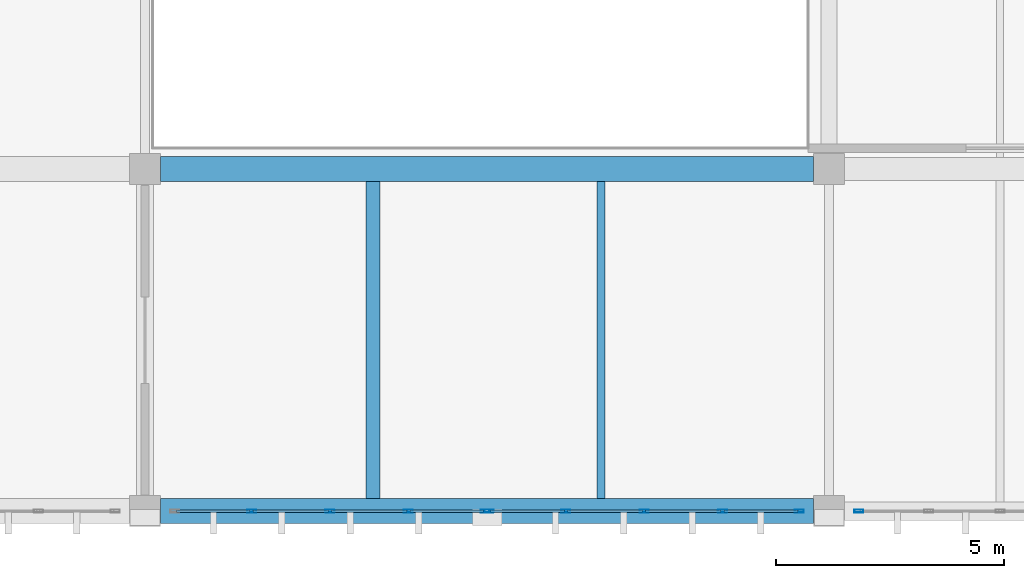
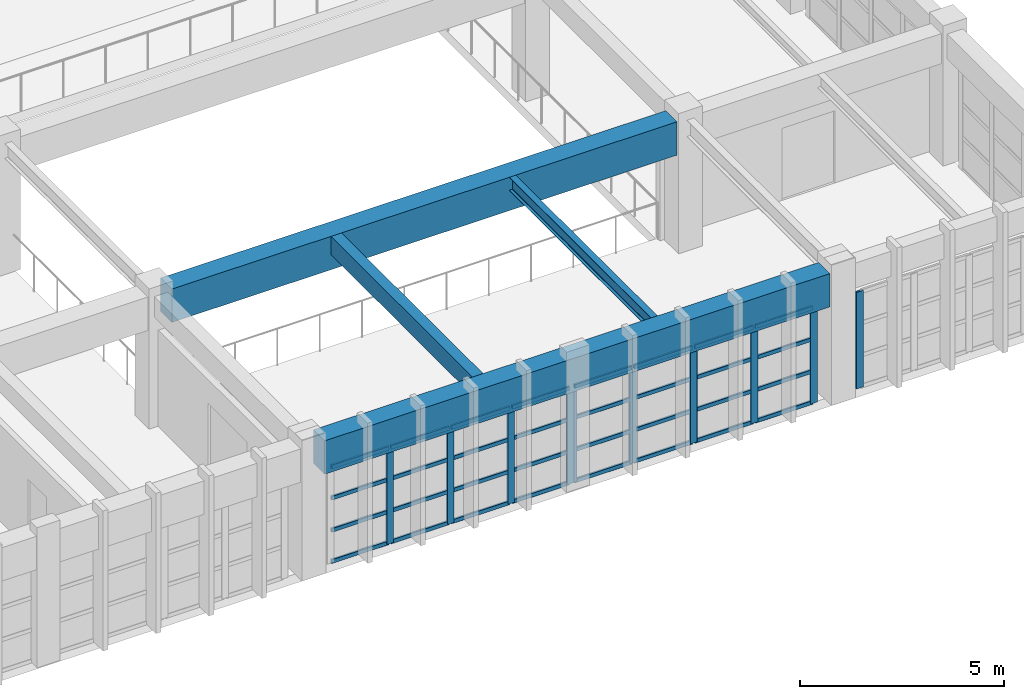
# One storey, part 6 of 132: 42 members, 4 beams, 3 elements without a shape of their own.
"""IFC4 building model written with IfcOpenShell, lengths in metres."""

from ifc_helpers import new_model, si_unit, direction, frame, origin, origin_2d, place, context, subcontext, project, spatial, rectangle, hollow_rectangle, i_section, extrude, material, material_profile, profile_set, type_object, element, aggregate, save


model = new_model("IFC4")

# Units and contexts
model_context = context("Model", 3, precision=1e-05, world=origin(), true_north=direction((0.0, 1.0)))
body_context = subcontext(model_context, "Body", "Model", "MODEL_VIEW")
ifc_project = project(units=[si_unit("LENGTHUNIT", "METRE"), si_unit("AREAUNIT", "SQUARE_METRE"), si_unit("VOLUMEUNIT", "CUBIC_METRE"), si_unit("PLANEANGLEUNIT", "RADIAN"), si_unit("MASSUNIT", "GRAM", prefix="KILO")], contexts=[model_context])

# Site, building, storey
site_placement = place(None, origin())
site = spatial("IfcSite", under=ifc_project, at=site_placement, CompositionType="ELEMENT")
building_placement = place(site_placement, origin())
building = spatial("IfcBuilding", under=site, at=building_placement, Name="Qasida Concert Hall", CompositionType="ELEMENT")
storey_placement = place(building_placement, frame((0.0, 0.0, 4.800048828125)))
storey = spatial("IfcBuildingStorey", under=building, at=storey_placement, Name="L01", CompositionType="ELEMENT", Elevation=4.800048828125)

# Beams
ifc_material_1 = material(Name="Concrete C40/50", Category="concrete")
ifc_material_profile_1 = material_profile(ifc_material_1, rectangle(XDim=0.550048828125, YDim=1.0, at=origin_2d()), Name="RC 550x1000")
ifc_profile_set_1 = profile_set([ifc_material_profile_1], Name="Concrete C40/50")
beam_type_1 = type_object("IfcBeamType", Name="BM-G3", PredefinedType="USERDEFINED", material=ifc_profile_set_1)
for number, where, z_axis, x_axis, name in (
    (1, (15.340087890625, 0.0, 3.419921875), (1.0, 0.0, 0.0), (0.0, 1.0, 0.0), "Primary girder 0897"),
    (2, (15.340087890625, 7.5, 3.419921875), (1.0, 0.0, 0.0), (0.0, 1.0, 0.0), "Primary girder 0900"),
):
    element("IfcBeam", number, at=place(storey_placement, frame(where, z_axis=z_axis, x_axis=x_axis)), inside=storey, type_object=beam_type_1, Name=name, ObjectType="GIRDER", PredefinedType="USERDEFINED", context=body_context, shape_type="SweptSolid", body=[
        extrude(rectangle(XDim=0.550048828125, YDim=1.0, at=origin_2d()), origin(), (0.0, 0.0, 1.0), 14.31982421875),
    ])
ifc_material_profile_2 = material_profile(ifc_material_1, rectangle(XDim=0.300048828125, YDim=0.550048828125, at=origin_2d()), Name="RC 300x550")
ifc_profile_set_2 = profile_set([ifc_material_profile_2], Name="Concrete C40/50")
beam_type_2 = type_object("IfcBeamType", Name="BM-J1", PredefinedType="JOIST", material=ifc_profile_set_2)
beam_1_placement = place(storey_placement, frame((20.0, 0.27490234375, 3.64501953125), z_axis=(0.0, 1.0, 0.0), x_axis=(-1.0, 0.0, 0.0)))
element("IfcBeam", 3, at=beam_1_placement, inside=storey, type_object=beam_type_2, Name="L01 secondary joist 0960", PredefinedType="JOIST", context=body_context, shape_type="SweptSolid", body=[
    extrude(rectangle(XDim=0.300048828125, YDim=0.550048828125, at=origin_2d()), origin(), (0.0, 0.0, 1.0), 6.9501953125),
])
ifc_material_2 = material(Name="Steel S355J2", Category="steel")
ifc_material_profile_3 = material_profile(ifc_material_2, i_section(OverallWidth=0.179931640625, OverallDepth=0.39990234375, WebThickness=0.008544921875, FlangeThickness=0.013427734375, FilletRadius=0.02099609375, at=origin_2d()), Name="IPE 400")
ifc_profile_set_3 = profile_set([ifc_material_profile_3], Name="Steel S355J2")
beam_type_3 = type_object("IfcBeamType", Name="BM-J3", PredefinedType="JOIST", material=ifc_profile_set_3)
beam_2_placement = place(storey_placement, frame((25.0, 0.27490234375, 3.719970703125), z_axis=(0.0, 1.0, 0.0), x_axis=(-1.0, 0.0, 0.0)))
element("IfcBeam", 4, at=beam_2_placement, inside=storey, type_object=beam_type_3, Name="L01 secondary joist 0961", PredefinedType="JOIST", context=body_context, shape_type="SweptSolid", body=[
    extrude(i_section(OverallWidth=0.179931640625, OverallDepth=0.39990234375, WebThickness=0.008544921875, FlangeThickness=0.013427734375, FilletRadius=0.02099609375, at=origin_2d()), origin(), (0.0, 0.0, 1.0), 6.9501953125),
])

# Curtain wall, members
ifc_material_3 = material(Name="Architectural bronze-anodized aluminium and low-E glass", Category="aluminium")
curtain_wall_type = type_object("IfcCurtainWallType", Name="CW-07", PredefinedType="NOTDEFINED", material=ifc_material_3)
curtain_wall_1_placement = place(storey_placement, origin())
curtain_wall_1 = element("IfcCurtainWall", 5, at=curtain_wall_1_placement, inside=storey, type_object=curtain_wall_type, Name="L01 curtain wall CW-07 0085", PredefinedType="NOTDEFINED")
ifc_material_4 = material(Name="Architectural bronze-anodized aluminium EN AW-6063", Category="aluminium")
ifc_material_profile_4 = material_profile(ifc_material_4, hollow_rectangle(XDim=0.06494140625, YDim=0.199951171875, WallThickness=0.0048828125, InnerFilletRadius=0.0048828125, OuterFilletRadius=0.010009765625, at=origin_2d()), Name="CWM 200x65x5")
ifc_profile_set_4 = profile_set([ifc_material_profile_4], Name="Architectural bronze-anodized aluminium EN AW-6063")
member_type_1 = type_object("IfcMemberType", Name="MB-CWM-2", PredefinedType="MULLION", material=ifc_profile_set_4)
member_1_placement = place(storey_placement, frame((17.33740234375, 0.0, 0.0), z_axis=(0.0, 0.0, 1.0), x_axis=(0.0, 1.0, 0.0)))
member_1 = element("IfcMember", 6, at=member_1_placement, type_object=member_type_1, Name="CW-07 mullion 2", PredefinedType="MULLION", context=body_context, shape_type="SweptSolid", body=[
    extrude(hollow_rectangle(XDim=0.06494140625, YDim=0.199951171875, WallThickness=0.0048828125, InnerFilletRadius=0.0048828125, OuterFilletRadius=0.010009765625, at=origin_2d()), origin(), (0.0, 0.0, 1.0), 2.889892578125),
])
member_2_placement = place(storey_placement, frame((19.054931640625, 0.0, 0.0), z_axis=(0.0, 0.0, 1.0), x_axis=(0.0, 1.0, 0.0)))
member_2 = element("IfcMember", 7, at=member_2_placement, type_object=member_type_1, Name="CW-07 mullion 3", PredefinedType="MULLION", context=body_context, shape_type="SweptSolid", body=[
    extrude(hollow_rectangle(XDim=0.06494140625, YDim=0.199951171875, WallThickness=0.0048828125, InnerFilletRadius=0.0048828125, OuterFilletRadius=0.010009765625, at=origin_2d()), origin(), (0.0, 0.0, 1.0), 2.889892578125),
])
member_3_placement = place(storey_placement, frame((20.7724609375, 0.0, 0.0), z_axis=(0.0, 0.0, 1.0), x_axis=(0.0, 1.0, 0.0)))
member_3 = element("IfcMember", 8, at=member_3_placement, type_object=member_type_1, Name="CW-07 mullion 4", PredefinedType="MULLION", context=body_context, shape_type="SweptSolid", body=[
    extrude(hollow_rectangle(XDim=0.06494140625, YDim=0.199951171875, WallThickness=0.0048828125, InnerFilletRadius=0.0048828125, OuterFilletRadius=0.010009765625, at=origin_2d()), origin(), (0.0, 0.0, 1.0), 2.889892578125),
])
member_4_placement = place(storey_placement, frame((22.45751953125, 0.0, 0.0), z_axis=(0.0, 0.0, 1.0), x_axis=(0.0, 1.0, 0.0)))
member_4 = element("IfcMember", 9, at=member_4_placement, type_object=member_type_1, Name="CW-07 mullion 5", PredefinedType="MULLION", context=body_context, shape_type="SweptSolid", body=[
    extrude(hollow_rectangle(XDim=0.06494140625, YDim=0.199951171875, WallThickness=0.0048828125, InnerFilletRadius=0.0048828125, OuterFilletRadius=0.010009765625, at=origin_2d()), origin(), (0.0, 0.0, 1.0), 2.889892578125),
])

curtain_wall_2_placement = place(storey_placement, origin())
curtain_wall_2 = element("IfcCurtainWall", 10, at=curtain_wall_2_placement, inside=storey, type_object=curtain_wall_type, Name="L01 curtain wall CW-07 0087", PredefinedType="NOTDEFINED")
member_5_placement = place(storey_placement, frame((22.54248046875, 0.0, 0.0), z_axis=(0.0, 0.0, 1.0), x_axis=(0.0, 1.0, 0.0)))
member_5 = element("IfcMember", 11, at=member_5_placement, type_object=member_type_1, Name="CW-07 mullion 1", PredefinedType="MULLION", context=body_context, shape_type="SweptSolid", body=[
    extrude(hollow_rectangle(XDim=0.06494140625, YDim=0.199951171875, WallThickness=0.0048828125, InnerFilletRadius=0.0048828125, OuterFilletRadius=0.010009765625, at=origin_2d()), origin(), (0.0, 0.0, 1.0), 2.889892578125),
])
member_6_placement = place(storey_placement, frame((24.2275390625, 0.0, 0.0), z_axis=(0.0, 0.0, 1.0), x_axis=(0.0, 1.0, 0.0)))
member_6 = element("IfcMember", 12, at=member_6_placement, type_object=member_type_1, Name="CW-07 mullion 2", PredefinedType="MULLION", context=body_context, shape_type="SweptSolid", body=[
    extrude(hollow_rectangle(XDim=0.06494140625, YDim=0.199951171875, WallThickness=0.0048828125, InnerFilletRadius=0.0048828125, OuterFilletRadius=0.010009765625, at=origin_2d()), origin(), (0.0, 0.0, 1.0), 2.889892578125),
])
member_7_placement = place(storey_placement, frame((25.945068359375, 0.0, 0.0), z_axis=(0.0, 0.0, 1.0), x_axis=(0.0, 1.0, 0.0)))
member_7 = element("IfcMember", 13, at=member_7_placement, type_object=member_type_1, Name="CW-07 mullion 3", PredefinedType="MULLION", context=body_context, shape_type="SweptSolid", body=[
    extrude(hollow_rectangle(XDim=0.06494140625, YDim=0.199951171875, WallThickness=0.0048828125, InnerFilletRadius=0.0048828125, OuterFilletRadius=0.010009765625, at=origin_2d()), origin(), (0.0, 0.0, 1.0), 2.889892578125),
])
member_8_placement = place(storey_placement, frame((27.66259765625, 0.0, 0.0), z_axis=(0.0, 0.0, 1.0), x_axis=(0.0, 1.0, 0.0)))
member_8 = element("IfcMember", 14, at=member_8_placement, type_object=member_type_1, Name="CW-07 mullion 4", PredefinedType="MULLION", context=body_context, shape_type="SweptSolid", body=[
    extrude(hollow_rectangle(XDim=0.06494140625, YDim=0.199951171875, WallThickness=0.0048828125, InnerFilletRadius=0.0048828125, OuterFilletRadius=0.010009765625, at=origin_2d()), origin(), (0.0, 0.0, 1.0), 2.889892578125),
])
member_9_placement = place(storey_placement, frame((29.347412109375, 0.0, 0.0), z_axis=(0.0, 0.0, 1.0), x_axis=(0.0, 1.0, 0.0)))
member_9 = element("IfcMember", 15, at=member_9_placement, type_object=member_type_1, Name="CW-07 mullion 5", PredefinedType="MULLION", context=body_context, shape_type="SweptSolid", body=[
    extrude(hollow_rectangle(XDim=0.06494140625, YDim=0.199951171875, WallThickness=0.0048828125, InnerFilletRadius=0.0048828125, OuterFilletRadius=0.010009765625, at=origin_2d()), origin(), (0.0, 0.0, 1.0), 2.889892578125),
])

# Curtain wall, member
curtain_wall_3_placement = place(storey_placement, origin())
curtain_wall_3 = element("IfcCurtainWall", 16, at=curtain_wall_3_placement, inside=storey, type_object=curtain_wall_type, Name="L01 curtain wall CW-07 0089", PredefinedType="NOTDEFINED")
member_10_placement = place(storey_placement, frame((30.652587890625, 0.0, 0.0), z_axis=(0.0, 0.0, 1.0), x_axis=(0.0, 1.0, 0.0)))
member_10 = element("IfcMember", 17, at=member_10_placement, type_object=member_type_1, Name="CW-07 mullion 1", PredefinedType="MULLION", context=body_context, shape_type="SweptSolid", body=[
    extrude(hollow_rectangle(XDim=0.06494140625, YDim=0.199951171875, WallThickness=0.0048828125, InnerFilletRadius=0.0048828125, OuterFilletRadius=0.010009765625, at=origin_2d()), origin(), (0.0, 0.0, 1.0), 2.889892578125),
])
aggregate(curtain_wall_3, [member_10])

# Member
ifc_material_profile_5 = material_profile(ifc_material_4, hollow_rectangle(XDim=0.06005859375, YDim=0.1201171875, WallThickness=0.00390625, InnerFilletRadius=0.00390625, OuterFilletRadius=0.008056640625, at=origin_2d()), Name="CWT 120x60x4")
ifc_profile_set_5 = profile_set([ifc_material_profile_5], Name="Architectural bronze-anodized aluminium EN AW-6063")
member_type_2 = type_object("IfcMemberType", Name="MB-CWT-2", PredefinedType="USERDEFINED", material=ifc_profile_set_5)
member_11_placement = place(storey_placement, frame((15.68505859375, 0.0, 0.030029296875), z_axis=(1.0, 0.0, 0.0), x_axis=(0.0, 1.0, 0.0)))
member_11 = element("IfcMember", 18, at=member_11_placement, type_object=member_type_2, Name="CW-07 transom 1.1", ObjectType="TRANSOM", PredefinedType="USERDEFINED", context=body_context, shape_type="SweptSolid", body=[
    extrude(hollow_rectangle(XDim=0.06005859375, YDim=0.1201171875, WallThickness=0.00390625, InnerFilletRadius=0.00390625, OuterFilletRadius=0.008056640625, at=origin_2d()), origin(), (0.0, 0.0, 1.0), 1.619873046875),
])

member_12_placement = place(storey_placement, frame((15.68505859375, 0.0, 0.963134765625), z_axis=(1.0, 0.0, 0.0), x_axis=(0.0, 1.0, 0.0)))
member_12 = element("IfcMember", 19, at=member_12_placement, type_object=member_type_2, Name="CW-07 transom 1.2", ObjectType="TRANSOM", PredefinedType="USERDEFINED", context=body_context, shape_type="SweptSolid", body=[
    extrude(hollow_rectangle(XDim=0.06005859375, YDim=0.1201171875, WallThickness=0.00390625, InnerFilletRadius=0.00390625, OuterFilletRadius=0.008056640625, at=origin_2d()), origin(), (0.0, 0.0, 1.0), 1.619873046875),
])

member_13_placement = place(storey_placement, frame((15.68505859375, 0.0, 1.9267578125), z_axis=(1.0, 0.0, 0.0), x_axis=(0.0, 1.0, 0.0)))
member_13 = element("IfcMember", 20, at=member_13_placement, type_object=member_type_2, Name="CW-07 transom 1.3", ObjectType="TRANSOM", PredefinedType="USERDEFINED", context=body_context, shape_type="SweptSolid", body=[
    extrude(hollow_rectangle(XDim=0.06005859375, YDim=0.1201171875, WallThickness=0.00390625, InnerFilletRadius=0.00390625, OuterFilletRadius=0.008056640625, at=origin_2d()), origin(), (0.0, 0.0, 1.0), 1.619873046875),
])

member_14_placement = place(storey_placement, frame((15.68505859375, 0.0, 2.85986328125), z_axis=(1.0, 0.0, 0.0), x_axis=(0.0, 1.0, 0.0)))
member_14 = element("IfcMember", 21, at=member_14_placement, type_object=member_type_2, Name="CW-07 transom 1.4", ObjectType="TRANSOM", PredefinedType="USERDEFINED", context=body_context, shape_type="SweptSolid", body=[
    extrude(hollow_rectangle(XDim=0.06005859375, YDim=0.1201171875, WallThickness=0.00390625, InnerFilletRadius=0.00390625, OuterFilletRadius=0.008056640625, at=origin_2d()), origin(), (0.0, 0.0, 1.0), 1.619873046875),
])

member_15_placement = place(storey_placement, frame((17.3701171875, 0.0, 0.030029296875), z_axis=(1.0, 0.0, 0.0), x_axis=(0.0, 1.0, 0.0)))
member_15 = element("IfcMember", 22, at=member_15_placement, type_object=member_type_2, Name="CW-07 transom 2.1", ObjectType="TRANSOM", PredefinedType="USERDEFINED", context=body_context, shape_type="SweptSolid", body=[
    extrude(hollow_rectangle(XDim=0.06005859375, YDim=0.1201171875, WallThickness=0.00390625, InnerFilletRadius=0.00390625, OuterFilletRadius=0.008056640625, at=origin_2d()), origin(), (0.0, 0.0, 1.0), 1.65234375),
])

member_16_placement = place(storey_placement, frame((17.3701171875, 0.0, 0.963134765625), z_axis=(1.0, 0.0, 0.0), x_axis=(0.0, 1.0, 0.0)))
member_16 = element("IfcMember", 23, at=member_16_placement, type_object=member_type_2, Name="CW-07 transom 2.2", ObjectType="TRANSOM", PredefinedType="USERDEFINED", context=body_context, shape_type="SweptSolid", body=[
    extrude(hollow_rectangle(XDim=0.06005859375, YDim=0.1201171875, WallThickness=0.00390625, InnerFilletRadius=0.00390625, OuterFilletRadius=0.008056640625, at=origin_2d()), origin(), (0.0, 0.0, 1.0), 1.65234375),
])

member_17_placement = place(storey_placement, frame((17.3701171875, 0.0, 1.9267578125), z_axis=(1.0, 0.0, 0.0), x_axis=(0.0, 1.0, 0.0)))
member_17 = element("IfcMember", 24, at=member_17_placement, type_object=member_type_2, Name="CW-07 transom 2.3", ObjectType="TRANSOM", PredefinedType="USERDEFINED", context=body_context, shape_type="SweptSolid", body=[
    extrude(hollow_rectangle(XDim=0.06005859375, YDim=0.1201171875, WallThickness=0.00390625, InnerFilletRadius=0.00390625, OuterFilletRadius=0.008056640625, at=origin_2d()), origin(), (0.0, 0.0, 1.0), 1.65234375),
])

member_18_placement = place(storey_placement, frame((17.3701171875, 0.0, 2.85986328125), z_axis=(1.0, 0.0, 0.0), x_axis=(0.0, 1.0, 0.0)))
member_18 = element("IfcMember", 25, at=member_18_placement, type_object=member_type_2, Name="CW-07 transom 2.4", ObjectType="TRANSOM", PredefinedType="USERDEFINED", context=body_context, shape_type="SweptSolid", body=[
    extrude(hollow_rectangle(XDim=0.06005859375, YDim=0.1201171875, WallThickness=0.00390625, InnerFilletRadius=0.00390625, OuterFilletRadius=0.008056640625, at=origin_2d()), origin(), (0.0, 0.0, 1.0), 1.65234375),
])

member_19_placement = place(storey_placement, frame((19.08740234375, 0.0, 0.030029296875), z_axis=(1.0, 0.0, 0.0), x_axis=(0.0, 1.0, 0.0)))
member_19 = element("IfcMember", 26, at=member_19_placement, type_object=member_type_2, Name="CW-07 transom 3.1", ObjectType="TRANSOM", PredefinedType="USERDEFINED", context=body_context, shape_type="SweptSolid", body=[
    extrude(hollow_rectangle(XDim=0.06005859375, YDim=0.1201171875, WallThickness=0.00390625, InnerFilletRadius=0.00390625, OuterFilletRadius=0.008056640625, at=origin_2d()), origin(), (0.0, 0.0, 1.0), 1.652587890625),
])

member_20_placement = place(storey_placement, frame((19.08740234375, 0.0, 0.963134765625), z_axis=(1.0, 0.0, 0.0), x_axis=(0.0, 1.0, 0.0)))
member_20 = element("IfcMember", 27, at=member_20_placement, type_object=member_type_2, Name="CW-07 transom 3.2", ObjectType="TRANSOM", PredefinedType="USERDEFINED", context=body_context, shape_type="SweptSolid", body=[
    extrude(hollow_rectangle(XDim=0.06005859375, YDim=0.1201171875, WallThickness=0.00390625, InnerFilletRadius=0.00390625, OuterFilletRadius=0.008056640625, at=origin_2d()), origin(), (0.0, 0.0, 1.0), 1.652587890625),
])

member_21_placement = place(storey_placement, frame((19.08740234375, 0.0, 1.9267578125), z_axis=(1.0, 0.0, 0.0), x_axis=(0.0, 1.0, 0.0)))
member_21 = element("IfcMember", 28, at=member_21_placement, type_object=member_type_2, Name="CW-07 transom 3.3", ObjectType="TRANSOM", PredefinedType="USERDEFINED", context=body_context, shape_type="SweptSolid", body=[
    extrude(hollow_rectangle(XDim=0.06005859375, YDim=0.1201171875, WallThickness=0.00390625, InnerFilletRadius=0.00390625, OuterFilletRadius=0.008056640625, at=origin_2d()), origin(), (0.0, 0.0, 1.0), 1.652587890625),
])

member_22_placement = place(storey_placement, frame((19.08740234375, 0.0, 2.85986328125), z_axis=(1.0, 0.0, 0.0), x_axis=(0.0, 1.0, 0.0)))
member_22 = element("IfcMember", 29, at=member_22_placement, type_object=member_type_2, Name="CW-07 transom 3.4", ObjectType="TRANSOM", PredefinedType="USERDEFINED", context=body_context, shape_type="SweptSolid", body=[
    extrude(hollow_rectangle(XDim=0.06005859375, YDim=0.1201171875, WallThickness=0.00390625, InnerFilletRadius=0.00390625, OuterFilletRadius=0.008056640625, at=origin_2d()), origin(), (0.0, 0.0, 1.0), 1.652587890625),
])

member_23_placement = place(storey_placement, frame((20.804931640625, 0.0, 0.030029296875), z_axis=(1.0, 0.0, 0.0), x_axis=(0.0, 1.0, 0.0)))
member_23 = element("IfcMember", 30, at=member_23_placement, type_object=member_type_2, Name="CW-07 transom 4.1", ObjectType="TRANSOM", PredefinedType="USERDEFINED", context=body_context, shape_type="SweptSolid", body=[
    extrude(hollow_rectangle(XDim=0.06005859375, YDim=0.1201171875, WallThickness=0.00390625, InnerFilletRadius=0.00390625, OuterFilletRadius=0.008056640625, at=origin_2d()), origin(), (0.0, 0.0, 1.0), 1.6201171875),
])

member_24_placement = place(storey_placement, frame((20.804931640625, 0.0, 0.963134765625), z_axis=(1.0, 0.0, 0.0), x_axis=(0.0, 1.0, 0.0)))
member_24 = element("IfcMember", 31, at=member_24_placement, type_object=member_type_2, Name="CW-07 transom 4.2", ObjectType="TRANSOM", PredefinedType="USERDEFINED", context=body_context, shape_type="SweptSolid", body=[
    extrude(hollow_rectangle(XDim=0.06005859375, YDim=0.1201171875, WallThickness=0.00390625, InnerFilletRadius=0.00390625, OuterFilletRadius=0.008056640625, at=origin_2d()), origin(), (0.0, 0.0, 1.0), 1.6201171875),
])

member_25_placement = place(storey_placement, frame((20.804931640625, 0.0, 1.9267578125), z_axis=(1.0, 0.0, 0.0), x_axis=(0.0, 1.0, 0.0)))
member_25 = element("IfcMember", 32, at=member_25_placement, type_object=member_type_2, Name="CW-07 transom 4.3", ObjectType="TRANSOM", PredefinedType="USERDEFINED", context=body_context, shape_type="SweptSolid", body=[
    extrude(hollow_rectangle(XDim=0.06005859375, YDim=0.1201171875, WallThickness=0.00390625, InnerFilletRadius=0.00390625, OuterFilletRadius=0.008056640625, at=origin_2d()), origin(), (0.0, 0.0, 1.0), 1.6201171875),
])

member_26_placement = place(storey_placement, frame((20.804931640625, 0.0, 2.85986328125), z_axis=(1.0, 0.0, 0.0), x_axis=(0.0, 1.0, 0.0)))
member_26 = element("IfcMember", 33, at=member_26_placement, type_object=member_type_2, Name="CW-07 transom 4.4", ObjectType="TRANSOM", PredefinedType="USERDEFINED", context=body_context, shape_type="SweptSolid", body=[
    extrude(hollow_rectangle(XDim=0.06005859375, YDim=0.1201171875, WallThickness=0.00390625, InnerFilletRadius=0.00390625, OuterFilletRadius=0.008056640625, at=origin_2d()), origin(), (0.0, 0.0, 1.0), 1.6201171875),
])

aggregate(curtain_wall_1, [member_1, member_2, member_3, member_4, member_11, member_12, member_13, member_14, member_15, member_16, member_17, member_18, member_19, member_20, member_21, member_22, member_23, member_24, member_25, member_26])

member_27_placement = place(storey_placement, frame((22.574951171875, 0.0, 0.030029296875), z_axis=(1.0, 0.0, 0.0), x_axis=(0.0, 1.0, 0.0)))
member_27 = element("IfcMember", 34, at=member_27_placement, type_object=member_type_2, Name="CW-07 transom 1.1", ObjectType="TRANSOM", PredefinedType="USERDEFINED", context=body_context, shape_type="SweptSolid", body=[
    extrude(hollow_rectangle(XDim=0.06005859375, YDim=0.1201171875, WallThickness=0.00390625, InnerFilletRadius=0.00390625, OuterFilletRadius=0.008056640625, at=origin_2d()), origin(), (0.0, 0.0, 1.0), 1.6201171875),
])

member_28_placement = place(storey_placement, frame((22.574951171875, 0.0, 0.963134765625), z_axis=(1.0, 0.0, 0.0), x_axis=(0.0, 1.0, 0.0)))
member_28 = element("IfcMember", 35, at=member_28_placement, type_object=member_type_2, Name="CW-07 transom 1.2", ObjectType="TRANSOM", PredefinedType="USERDEFINED", context=body_context, shape_type="SweptSolid", body=[
    extrude(hollow_rectangle(XDim=0.06005859375, YDim=0.1201171875, WallThickness=0.00390625, InnerFilletRadius=0.00390625, OuterFilletRadius=0.008056640625, at=origin_2d()), origin(), (0.0, 0.0, 1.0), 1.6201171875),
])

member_29_placement = place(storey_placement, frame((22.574951171875, 0.0, 1.9267578125), z_axis=(1.0, 0.0, 0.0), x_axis=(0.0, 1.0, 0.0)))
member_29 = element("IfcMember", 36, at=member_29_placement, type_object=member_type_2, Name="CW-07 transom 1.3", ObjectType="TRANSOM", PredefinedType="USERDEFINED", context=body_context, shape_type="SweptSolid", body=[
    extrude(hollow_rectangle(XDim=0.06005859375, YDim=0.1201171875, WallThickness=0.00390625, InnerFilletRadius=0.00390625, OuterFilletRadius=0.008056640625, at=origin_2d()), origin(), (0.0, 0.0, 1.0), 1.6201171875),
])

member_30_placement = place(storey_placement, frame((22.574951171875, 0.0, 2.85986328125), z_axis=(1.0, 0.0, 0.0), x_axis=(0.0, 1.0, 0.0)))
member_30 = element("IfcMember", 37, at=member_30_placement, type_object=member_type_2, Name="CW-07 transom 1.4", ObjectType="TRANSOM", PredefinedType="USERDEFINED", context=body_context, shape_type="SweptSolid", body=[
    extrude(hollow_rectangle(XDim=0.06005859375, YDim=0.1201171875, WallThickness=0.00390625, InnerFilletRadius=0.00390625, OuterFilletRadius=0.008056640625, at=origin_2d()), origin(), (0.0, 0.0, 1.0), 1.6201171875),
])

member_31_placement = place(storey_placement, frame((24.260009765625, 0.0, 0.030029296875), z_axis=(1.0, 0.0, 0.0), x_axis=(0.0, 1.0, 0.0)))
member_31 = element("IfcMember", 38, at=member_31_placement, type_object=member_type_2, Name="CW-07 transom 2.1", ObjectType="TRANSOM", PredefinedType="USERDEFINED", context=body_context, shape_type="SweptSolid", body=[
    extrude(hollow_rectangle(XDim=0.06005859375, YDim=0.1201171875, WallThickness=0.00390625, InnerFilletRadius=0.00390625, OuterFilletRadius=0.008056640625, at=origin_2d()), origin(), (0.0, 0.0, 1.0), 1.652587890625),
])

member_32_placement = place(storey_placement, frame((24.260009765625, 0.0, 0.963134765625), z_axis=(1.0, 0.0, 0.0), x_axis=(0.0, 1.0, 0.0)))
member_32 = element("IfcMember", 39, at=member_32_placement, type_object=member_type_2, Name="CW-07 transom 2.2", ObjectType="TRANSOM", PredefinedType="USERDEFINED", context=body_context, shape_type="SweptSolid", body=[
    extrude(hollow_rectangle(XDim=0.06005859375, YDim=0.1201171875, WallThickness=0.00390625, InnerFilletRadius=0.00390625, OuterFilletRadius=0.008056640625, at=origin_2d()), origin(), (0.0, 0.0, 1.0), 1.652587890625),
])

member_33_placement = place(storey_placement, frame((24.260009765625, 0.0, 1.9267578125), z_axis=(1.0, 0.0, 0.0), x_axis=(0.0, 1.0, 0.0)))
member_33 = element("IfcMember", 40, at=member_33_placement, type_object=member_type_2, Name="CW-07 transom 2.3", ObjectType="TRANSOM", PredefinedType="USERDEFINED", context=body_context, shape_type="SweptSolid", body=[
    extrude(hollow_rectangle(XDim=0.06005859375, YDim=0.1201171875, WallThickness=0.00390625, InnerFilletRadius=0.00390625, OuterFilletRadius=0.008056640625, at=origin_2d()), origin(), (0.0, 0.0, 1.0), 1.652587890625),
])

member_34_placement = place(storey_placement, frame((24.260009765625, 0.0, 2.85986328125), z_axis=(1.0, 0.0, 0.0), x_axis=(0.0, 1.0, 0.0)))
member_34 = element("IfcMember", 41, at=member_34_placement, type_object=member_type_2, Name="CW-07 transom 2.4", ObjectType="TRANSOM", PredefinedType="USERDEFINED", context=body_context, shape_type="SweptSolid", body=[
    extrude(hollow_rectangle(XDim=0.06005859375, YDim=0.1201171875, WallThickness=0.00390625, InnerFilletRadius=0.00390625, OuterFilletRadius=0.008056640625, at=origin_2d()), origin(), (0.0, 0.0, 1.0), 1.652587890625),
])

member_35_placement = place(storey_placement, frame((25.9775390625, 0.0, 0.030029296875), z_axis=(1.0, 0.0, 0.0), x_axis=(0.0, 1.0, 0.0)))
member_35 = element("IfcMember", 42, at=member_35_placement, type_object=member_type_2, Name="CW-07 transom 3.1", ObjectType="TRANSOM", PredefinedType="USERDEFINED", context=body_context, shape_type="SweptSolid", body=[
    extrude(hollow_rectangle(XDim=0.06005859375, YDim=0.1201171875, WallThickness=0.00390625, InnerFilletRadius=0.00390625, OuterFilletRadius=0.008056640625, at=origin_2d()), origin(), (0.0, 0.0, 1.0), 1.65234375),
])

member_36_placement = place(storey_placement, frame((25.9775390625, 0.0, 0.963134765625), z_axis=(1.0, 0.0, 0.0), x_axis=(0.0, 1.0, 0.0)))
member_36 = element("IfcMember", 43, at=member_36_placement, type_object=member_type_2, Name="CW-07 transom 3.2", ObjectType="TRANSOM", PredefinedType="USERDEFINED", context=body_context, shape_type="SweptSolid", body=[
    extrude(hollow_rectangle(XDim=0.06005859375, YDim=0.1201171875, WallThickness=0.00390625, InnerFilletRadius=0.00390625, OuterFilletRadius=0.008056640625, at=origin_2d()), origin(), (0.0, 0.0, 1.0), 1.65234375),
])

member_37_placement = place(storey_placement, frame((25.9775390625, 0.0, 1.9267578125), z_axis=(1.0, 0.0, 0.0), x_axis=(0.0, 1.0, 0.0)))
member_37 = element("IfcMember", 44, at=member_37_placement, type_object=member_type_2, Name="CW-07 transom 3.3", ObjectType="TRANSOM", PredefinedType="USERDEFINED", context=body_context, shape_type="SweptSolid", body=[
    extrude(hollow_rectangle(XDim=0.06005859375, YDim=0.1201171875, WallThickness=0.00390625, InnerFilletRadius=0.00390625, OuterFilletRadius=0.008056640625, at=origin_2d()), origin(), (0.0, 0.0, 1.0), 1.65234375),
])

member_38_placement = place(storey_placement, frame((25.9775390625, 0.0, 2.85986328125), z_axis=(1.0, 0.0, 0.0), x_axis=(0.0, 1.0, 0.0)))
member_38 = element("IfcMember", 45, at=member_38_placement, type_object=member_type_2, Name="CW-07 transom 3.4", ObjectType="TRANSOM", PredefinedType="USERDEFINED", context=body_context, shape_type="SweptSolid", body=[
    extrude(hollow_rectangle(XDim=0.06005859375, YDim=0.1201171875, WallThickness=0.00390625, InnerFilletRadius=0.00390625, OuterFilletRadius=0.008056640625, at=origin_2d()), origin(), (0.0, 0.0, 1.0), 1.65234375),
])

member_39_placement = place(storey_placement, frame((27.695068359375, 0.0, 0.030029296875), z_axis=(1.0, 0.0, 0.0), x_axis=(0.0, 1.0, 0.0)))
member_39 = element("IfcMember", 46, at=member_39_placement, type_object=member_type_2, Name="CW-07 transom 4.1", ObjectType="TRANSOM", PredefinedType="USERDEFINED", context=body_context, shape_type="SweptSolid", body=[
    extrude(hollow_rectangle(XDim=0.06005859375, YDim=0.1201171875, WallThickness=0.00390625, InnerFilletRadius=0.00390625, OuterFilletRadius=0.008056640625, at=origin_2d()), origin(), (0.0, 0.0, 1.0), 1.619873046875),
])

member_40_placement = place(storey_placement, frame((27.695068359375, 0.0, 0.963134765625), z_axis=(1.0, 0.0, 0.0), x_axis=(0.0, 1.0, 0.0)))
member_40 = element("IfcMember", 47, at=member_40_placement, type_object=member_type_2, Name="CW-07 transom 4.2", ObjectType="TRANSOM", PredefinedType="USERDEFINED", context=body_context, shape_type="SweptSolid", body=[
    extrude(hollow_rectangle(XDim=0.06005859375, YDim=0.1201171875, WallThickness=0.00390625, InnerFilletRadius=0.00390625, OuterFilletRadius=0.008056640625, at=origin_2d()), origin(), (0.0, 0.0, 1.0), 1.619873046875),
])

member_41_placement = place(storey_placement, frame((27.695068359375, 0.0, 1.9267578125), z_axis=(1.0, 0.0, 0.0), x_axis=(0.0, 1.0, 0.0)))
member_41 = element("IfcMember", 48, at=member_41_placement, type_object=member_type_2, Name="CW-07 transom 4.3", ObjectType="TRANSOM", PredefinedType="USERDEFINED", context=body_context, shape_type="SweptSolid", body=[
    extrude(hollow_rectangle(XDim=0.06005859375, YDim=0.1201171875, WallThickness=0.00390625, InnerFilletRadius=0.00390625, OuterFilletRadius=0.008056640625, at=origin_2d()), origin(), (0.0, 0.0, 1.0), 1.619873046875),
])

member_42_placement = place(storey_placement, frame((27.695068359375, 0.0, 2.85986328125), z_axis=(1.0, 0.0, 0.0), x_axis=(0.0, 1.0, 0.0)))
member_42 = element("IfcMember", 49, at=member_42_placement, type_object=member_type_2, Name="CW-07 transom 4.4", ObjectType="TRANSOM", PredefinedType="USERDEFINED", context=body_context, shape_type="SweptSolid", body=[
    extrude(hollow_rectangle(XDim=0.06005859375, YDim=0.1201171875, WallThickness=0.00390625, InnerFilletRadius=0.00390625, OuterFilletRadius=0.008056640625, at=origin_2d()), origin(), (0.0, 0.0, 1.0), 1.619873046875),
])

aggregate(curtain_wall_2, [member_5, member_6, member_7, member_8, member_9, member_27, member_28, member_29, member_30, member_31, member_32, member_33, member_34, member_35, member_36, member_37, member_38, member_39, member_40, member_41, member_42])

save(model, "model.ifc")
